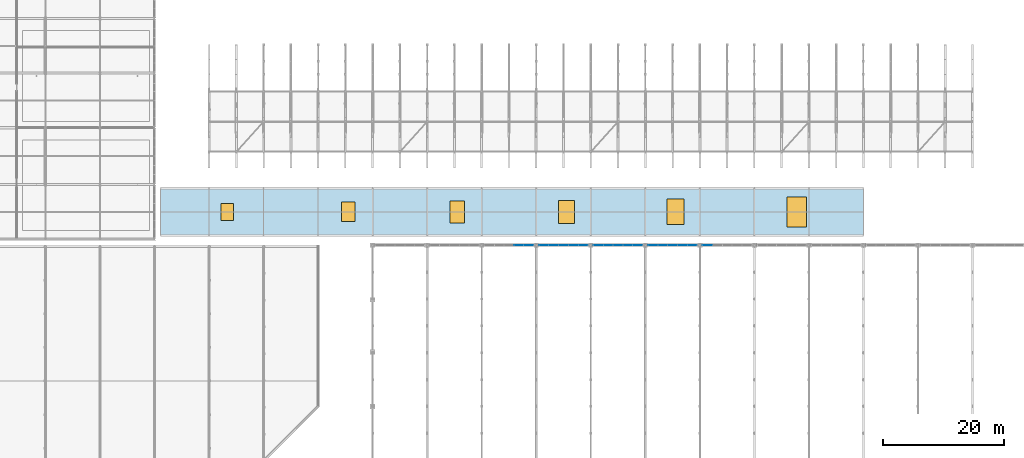
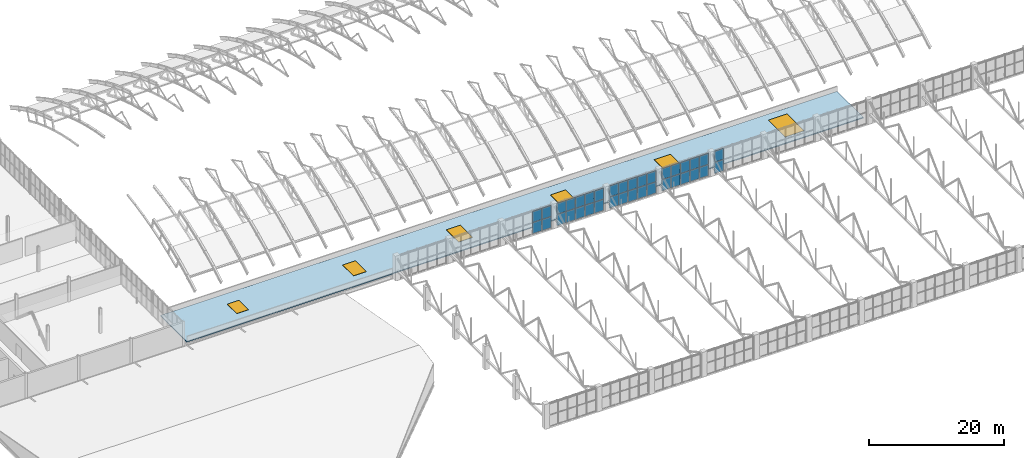
# One storey, part 74 of 103: 36 plates, 6 windows, 1 slab, 6 openings, 5 elements without a shape of their own.
"""IFC4 building model written with IfcOpenShell, lengths in metres."""

from ifc_helpers import new_model, si_unit, direction, frame, origin, origin_2d, place, context, subcontext, project, spatial, polyline, rectangle, outline, extrude, material, layer, layer_set, type_object, element, fill, aggregate, save


model = new_model("IFC4")

# Units and contexts
model_context = context("Model", 3, precision=1e-05, world=origin(), true_north=direction((0.0, 1.0)))
body_context = subcontext(model_context, "Body", "Model", "MODEL_VIEW")
ifc_project = project(units=[si_unit("LENGTHUNIT", "METRE"), si_unit("AREAUNIT", "SQUARE_METRE"), si_unit("VOLUMEUNIT", "CUBIC_METRE"), si_unit("PLANEANGLEUNIT", "RADIAN"), si_unit("MASSUNIT", "GRAM", prefix="KILO")], contexts=[model_context])

# Site, building, storey
site_placement = place(None, origin())
site = spatial("IfcSite", under=ifc_project, at=site_placement, CompositionType="ELEMENT")
building_placement = place(site_placement, origin())
building = spatial("IfcBuilding", under=site, at=building_placement, Name="Cazmaro Siding Exhibition Halls", CompositionType="ELEMENT")
storey_placement = place(building_placement, frame((0.0, 0.0, 16.5)))
storey = spatial("IfcBuildingStorey", under=building, at=storey_placement, Name="L03", CompositionType="ELEMENT", Elevation=16.5)

# Curtain wall, plates
ifc_material_1 = material(Name="Anodized Bronze Aluminum and Solar-Control Low-E Glazing", Category="aluminium")
ifc_layer_1 = layer(ifc_material_1, 0.159912109375)
ifc_layer_set_1 = layer_set([ifc_layer_1], Name="Anodized Bronze Aluminum and Solar-Control Low-E Glazing")
curtain_wall_type = type_object("IfcCurtainWallType", Name="CWS-04", PredefinedType="USERDEFINED", material=ifc_layer_set_1)
curtain_wall_1_placement = place(storey_placement, origin())
curtain_wall_1 = element("IfcCurtainWall", 1, at=curtain_wall_1_placement, inside=storey, type_object=curtain_wall_type, Name="Clerestory Curtain Wall CWS-04 CW-085", ObjectType="CLERESTORY CURTAIN WALL", PredefinedType="USERDEFINED")
ifc_material_2 = material(Name="Solar-Control Low-E Double Insulating Glass", Category="glass")
ifc_layer_2 = layer(ifc_material_2, 0.028076171875)
ifc_layer_set_2 = layer_set([ifc_layer_2], Name="Solar-Control Low-E Double Insulating Glass")
plate_type = type_object("IfcPlateType", Name="CWP-04", PredefinedType="CURTAIN_PANEL", material=ifc_layer_set_2)
plate_1_placement = place(storey_placement, frame((97.72900390625, 53.60009765625, 0.06005859375), z_axis=(0.0, 0.0, 1.0), x_axis=(-1.0, 0.0, 0.0)))
plate_1 = element("IfcPlate", 2, at=plate_1_placement, type_object=plate_type, Name="CWS-04 panel 1.1", PredefinedType="CURTAIN_PANEL", context=body_context, shape_type="SweptSolid", body=[
    extrude(rectangle(XDim=1.531982421875, YDim=0.028076171875, at=origin_2d()), origin(), (0.0, 0.0, 1.0), 2.010009765625),
])
plate_2_placement = place(storey_placement, frame((97.72900390625, 53.60009765625, 2.130126953125), z_axis=(0.0, 0.0, 1.0), x_axis=(-1.0, 0.0, 0.0)))
plate_2 = element("IfcPlate", 3, at=plate_2_placement, type_object=plate_type, Name="CWS-04 panel 1.2", PredefinedType="CURTAIN_PANEL", context=body_context, shape_type="SweptSolid", body=[
    extrude(rectangle(XDim=1.531982421875, YDim=0.028076171875, at=origin_2d()), origin(), (0.0, 0.0, 1.0), 1.9599609375),
])
plate_3_placement = place(storey_placement, frame((96.1220703125, 53.60009765625, 0.06005859375), z_axis=(0.0, 0.0, 1.0), x_axis=(-1.0, 0.0, 0.0)))
plate_3 = element("IfcPlate", 4, at=plate_3_placement, type_object=plate_type, Name="CWS-04 panel 2.1", PredefinedType="CURTAIN_PANEL", context=body_context, shape_type="SweptSolid", body=[
    extrude(rectangle(XDim=1.56201171875, YDim=0.028076171875, at=origin_2d()), origin(), (0.0, 0.0, 1.0), 2.010009765625),
])
plate_4_placement = place(storey_placement, frame((96.1220703125, 53.60009765625, 2.130126953125), z_axis=(0.0, 0.0, 1.0), x_axis=(-1.0, 0.0, 0.0)))
plate_4 = element("IfcPlate", 5, at=plate_4_placement, type_object=plate_type, Name="CWS-04 panel 2.2", PredefinedType="CURTAIN_PANEL", context=body_context, shape_type="SweptSolid", body=[
    extrude(rectangle(XDim=1.56201171875, YDim=0.028076171875, at=origin_2d()), origin(), (0.0, 0.0, 1.0), 1.9599609375),
])
aggregate(curtain_wall_1, [plate_1, plate_2, plate_3, plate_4])

curtain_wall_2_placement = place(storey_placement, origin())
curtain_wall_2 = element("IfcCurtainWall", 6, at=curtain_wall_2_placement, inside=storey, type_object=curtain_wall_type, Name="Clerestory Curtain Wall CWS-04 CW-087", ObjectType="CLERESTORY CURTAIN WALL", PredefinedType="USERDEFINED")
plate_5_placement = place(storey_placement, frame((106.72900390625, 53.60009765625, 0.06005859375), z_axis=(0.0, 0.0, 1.0), x_axis=(-1.0, 0.0, 0.0)))
plate_5 = element("IfcPlate", 7, at=plate_5_placement, type_object=plate_type, Name="CWS-04 panel 1.1", PredefinedType="CURTAIN_PANEL", context=body_context, shape_type="SweptSolid", body=[
    extrude(rectangle(XDim=1.531982421875, YDim=0.028076171875, at=origin_2d()), origin(), (0.0, 0.0, 1.0), 2.010009765625),
])
plate_6_placement = place(storey_placement, frame((106.72900390625, 53.60009765625, 2.130126953125), z_axis=(0.0, 0.0, 1.0), x_axis=(-1.0, 0.0, 0.0)))
plate_6 = element("IfcPlate", 8, at=plate_6_placement, type_object=plate_type, Name="CWS-04 panel 1.2", PredefinedType="CURTAIN_PANEL", context=body_context, shape_type="SweptSolid", body=[
    extrude(rectangle(XDim=1.531982421875, YDim=0.028076171875, at=origin_2d()), origin(), (0.0, 0.0, 1.0), 1.9599609375),
])
plate_7_placement = place(storey_placement, frame((105.1220703125, 53.60009765625, 0.06005859375), z_axis=(0.0, 0.0, 1.0), x_axis=(-1.0, 0.0, 0.0)))
plate_7 = element("IfcPlate", 9, at=plate_7_placement, type_object=plate_type, Name="CWS-04 panel 2.1", PredefinedType="CURTAIN_PANEL", context=body_context, shape_type="SweptSolid", body=[
    extrude(rectangle(XDim=1.56201171875, YDim=0.028076171875, at=origin_2d()), origin(), (0.0, 0.0, 1.0), 2.010009765625),
])
plate_8_placement = place(storey_placement, frame((105.1220703125, 53.60009765625, 2.130126953125), z_axis=(0.0, 0.0, 1.0), x_axis=(-1.0, 0.0, 0.0)))
plate_8 = element("IfcPlate", 10, at=plate_8_placement, type_object=plate_type, Name="CWS-04 panel 2.2", PredefinedType="CURTAIN_PANEL", context=body_context, shape_type="SweptSolid", body=[
    extrude(rectangle(XDim=1.56201171875, YDim=0.028076171875, at=origin_2d()), origin(), (0.0, 0.0, 1.0), 1.9599609375),
])
plate_9_placement = place(storey_placement, frame((103.5, 53.60009765625, 0.06005859375), z_axis=(0.0, 0.0, 1.0), x_axis=(-1.0, 0.0, 0.0)))
plate_9 = element("IfcPlate", 11, at=plate_9_placement, type_object=plate_type, Name="CWS-04 panel 3.1", PredefinedType="CURTAIN_PANEL", context=body_context, shape_type="SweptSolid", body=[
    extrude(rectangle(XDim=1.56201171875, YDim=0.028076171875, at=origin_2d()), origin(), (0.0, 0.0, 1.0), 2.010009765625),
])
plate_10_placement = place(storey_placement, frame((103.5, 53.60009765625, 2.130126953125), z_axis=(0.0, 0.0, 1.0), x_axis=(-1.0, 0.0, 0.0)))
plate_10 = element("IfcPlate", 12, at=plate_10_placement, type_object=plate_type, Name="CWS-04 panel 3.2", PredefinedType="CURTAIN_PANEL", context=body_context, shape_type="SweptSolid", body=[
    extrude(rectangle(XDim=1.56201171875, YDim=0.028076171875, at=origin_2d()), origin(), (0.0, 0.0, 1.0), 1.9599609375),
])
plate_11_placement = place(storey_placement, frame((101.8779296875, 53.60009765625, 0.06005859375), z_axis=(0.0, 0.0, 1.0), x_axis=(-1.0, 0.0, 0.0)))
plate_11 = element("IfcPlate", 13, at=plate_11_placement, type_object=plate_type, Name="CWS-04 panel 4.1", PredefinedType="CURTAIN_PANEL", context=body_context, shape_type="SweptSolid", body=[
    extrude(rectangle(XDim=1.56201171875, YDim=0.028076171875, at=origin_2d()), origin(), (0.0, 0.0, 1.0), 2.010009765625),
])
plate_12_placement = place(storey_placement, frame((101.8779296875, 53.60009765625, 2.130126953125), z_axis=(0.0, 0.0, 1.0), x_axis=(-1.0, 0.0, 0.0)))
plate_12 = element("IfcPlate", 14, at=plate_12_placement, type_object=plate_type, Name="CWS-04 panel 4.2", PredefinedType="CURTAIN_PANEL", context=body_context, shape_type="SweptSolid", body=[
    extrude(rectangle(XDim=1.56201171875, YDim=0.028076171875, at=origin_2d()), origin(), (0.0, 0.0, 1.0), 1.9599609375),
])
plate_13_placement = place(storey_placement, frame((100.27099609375, 53.60009765625, 0.06005859375), z_axis=(0.0, 0.0, 1.0), x_axis=(-1.0, 0.0, 0.0)))
plate_13 = element("IfcPlate", 15, at=plate_13_placement, type_object=plate_type, Name="CWS-04 panel 5.1", PredefinedType="CURTAIN_PANEL", context=body_context, shape_type="SweptSolid", body=[
    extrude(rectangle(XDim=1.531982421875, YDim=0.028076171875, at=origin_2d()), origin(), (0.0, 0.0, 1.0), 2.010009765625),
])
plate_14_placement = place(storey_placement, frame((100.27099609375, 53.60009765625, 2.130126953125), z_axis=(0.0, 0.0, 1.0), x_axis=(-1.0, 0.0, 0.0)))
plate_14 = element("IfcPlate", 16, at=plate_14_placement, type_object=plate_type, Name="CWS-04 panel 5.2", PredefinedType="CURTAIN_PANEL", context=body_context, shape_type="SweptSolid", body=[
    extrude(rectangle(XDim=1.531982421875, YDim=0.028076171875, at=origin_2d()), origin(), (0.0, 0.0, 1.0), 1.9599609375),
])
aggregate(curtain_wall_2, [plate_5, plate_6, plate_7, plate_8, plate_9, plate_10, plate_11, plate_12, plate_13, plate_14])

curtain_wall_3_placement = place(storey_placement, origin())
curtain_wall_3 = element("IfcCurtainWall", 17, at=curtain_wall_3_placement, inside=storey, type_object=curtain_wall_type, Name="Clerestory Curtain Wall CWS-04 CW-089", ObjectType="CLERESTORY CURTAIN WALL", PredefinedType="USERDEFINED")
plate_15_placement = place(storey_placement, frame((115.72900390625, 53.60009765625, 0.06005859375), z_axis=(0.0, 0.0, 1.0), x_axis=(-1.0, 0.0, 0.0)))
plate_15 = element("IfcPlate", 18, at=plate_15_placement, type_object=plate_type, Name="CWS-04 panel 1.1", PredefinedType="CURTAIN_PANEL", context=body_context, shape_type="SweptSolid", body=[
    extrude(rectangle(XDim=1.531982421875, YDim=0.028076171875, at=origin_2d()), origin(), (0.0, 0.0, 1.0), 2.010009765625),
])
plate_16_placement = place(storey_placement, frame((115.72900390625, 53.60009765625, 2.130126953125), z_axis=(0.0, 0.0, 1.0), x_axis=(-1.0, 0.0, 0.0)))
plate_16 = element("IfcPlate", 19, at=plate_16_placement, type_object=plate_type, Name="CWS-04 panel 1.2", PredefinedType="CURTAIN_PANEL", context=body_context, shape_type="SweptSolid", body=[
    extrude(rectangle(XDim=1.531982421875, YDim=0.028076171875, at=origin_2d()), origin(), (0.0, 0.0, 1.0), 1.9599609375),
])
plate_17_placement = place(storey_placement, frame((114.1220703125, 53.60009765625, 0.06005859375), z_axis=(0.0, 0.0, 1.0), x_axis=(-1.0, 0.0, 0.0)))
plate_17 = element("IfcPlate", 20, at=plate_17_placement, type_object=plate_type, Name="CWS-04 panel 2.1", PredefinedType="CURTAIN_PANEL", context=body_context, shape_type="SweptSolid", body=[
    extrude(rectangle(XDim=1.56201171875, YDim=0.028076171875, at=origin_2d()), origin(), (0.0, 0.0, 1.0), 2.010009765625),
])
plate_18_placement = place(storey_placement, frame((114.1220703125, 53.60009765625, 2.130126953125), z_axis=(0.0, 0.0, 1.0), x_axis=(-1.0, 0.0, 0.0)))
plate_18 = element("IfcPlate", 21, at=plate_18_placement, type_object=plate_type, Name="CWS-04 panel 2.2", PredefinedType="CURTAIN_PANEL", context=body_context, shape_type="SweptSolid", body=[
    extrude(rectangle(XDim=1.56201171875, YDim=0.028076171875, at=origin_2d()), origin(), (0.0, 0.0, 1.0), 1.9599609375),
])
plate_19_placement = place(storey_placement, frame((112.5, 53.60009765625, 0.06005859375), z_axis=(0.0, 0.0, 1.0), x_axis=(-1.0, 0.0, 0.0)))
plate_19 = element("IfcPlate", 22, at=plate_19_placement, type_object=plate_type, Name="CWS-04 panel 3.1", PredefinedType="CURTAIN_PANEL", context=body_context, shape_type="SweptSolid", body=[
    extrude(rectangle(XDim=1.56201171875, YDim=0.028076171875, at=origin_2d()), origin(), (0.0, 0.0, 1.0), 2.010009765625),
])
plate_20_placement = place(storey_placement, frame((112.5, 53.60009765625, 2.130126953125), z_axis=(0.0, 0.0, 1.0), x_axis=(-1.0, 0.0, 0.0)))
plate_20 = element("IfcPlate", 23, at=plate_20_placement, type_object=plate_type, Name="CWS-04 panel 3.2", PredefinedType="CURTAIN_PANEL", context=body_context, shape_type="SweptSolid", body=[
    extrude(rectangle(XDim=1.56201171875, YDim=0.028076171875, at=origin_2d()), origin(), (0.0, 0.0, 1.0), 1.9599609375),
])
plate_21_placement = place(storey_placement, frame((110.8779296875, 53.60009765625, 0.06005859375), z_axis=(0.0, 0.0, 1.0), x_axis=(-1.0, 0.0, 0.0)))
plate_21 = element("IfcPlate", 24, at=plate_21_placement, type_object=plate_type, Name="CWS-04 panel 4.1", PredefinedType="CURTAIN_PANEL", context=body_context, shape_type="SweptSolid", body=[
    extrude(rectangle(XDim=1.56201171875, YDim=0.028076171875, at=origin_2d()), origin(), (0.0, 0.0, 1.0), 2.010009765625),
])
plate_22_placement = place(storey_placement, frame((110.8779296875, 53.60009765625, 2.130126953125), z_axis=(0.0, 0.0, 1.0), x_axis=(-1.0, 0.0, 0.0)))
plate_22 = element("IfcPlate", 25, at=plate_22_placement, type_object=plate_type, Name="CWS-04 panel 4.2", PredefinedType="CURTAIN_PANEL", context=body_context, shape_type="SweptSolid", body=[
    extrude(rectangle(XDim=1.56201171875, YDim=0.028076171875, at=origin_2d()), origin(), (0.0, 0.0, 1.0), 1.9599609375),
])
plate_23_placement = place(storey_placement, frame((109.27099609375, 53.60009765625, 0.06005859375), z_axis=(0.0, 0.0, 1.0), x_axis=(-1.0, 0.0, 0.0)))
plate_23 = element("IfcPlate", 26, at=plate_23_placement, type_object=plate_type, Name="CWS-04 panel 5.1", PredefinedType="CURTAIN_PANEL", context=body_context, shape_type="SweptSolid", body=[
    extrude(rectangle(XDim=1.531982421875, YDim=0.028076171875, at=origin_2d()), origin(), (0.0, 0.0, 1.0), 2.010009765625),
])
plate_24_placement = place(storey_placement, frame((109.27099609375, 53.60009765625, 2.130126953125), z_axis=(0.0, 0.0, 1.0), x_axis=(-1.0, 0.0, 0.0)))
plate_24 = element("IfcPlate", 27, at=plate_24_placement, type_object=plate_type, Name="CWS-04 panel 5.2", PredefinedType="CURTAIN_PANEL", context=body_context, shape_type="SweptSolid", body=[
    extrude(rectangle(XDim=1.531982421875, YDim=0.028076171875, at=origin_2d()), origin(), (0.0, 0.0, 1.0), 1.9599609375),
])
aggregate(curtain_wall_3, [plate_15, plate_16, plate_17, plate_18, plate_19, plate_20, plate_21, plate_22, plate_23, plate_24])

curtain_wall_4_placement = place(storey_placement, origin())
curtain_wall_4 = element("IfcCurtainWall", 28, at=curtain_wall_4_placement, inside=storey, type_object=curtain_wall_type, Name="Clerestory Curtain Wall CWS-04 CW-091", ObjectType="CLERESTORY CURTAIN WALL", PredefinedType="USERDEFINED")
plate_25_placement = place(storey_placement, frame((124.72900390625, 53.60009765625, 0.06005859375), z_axis=(0.0, 0.0, 1.0), x_axis=(-1.0, 0.0, 0.0)))
plate_25 = element("IfcPlate", 29, at=plate_25_placement, type_object=plate_type, Name="CWS-04 panel 1.1", PredefinedType="CURTAIN_PANEL", context=body_context, shape_type="SweptSolid", body=[
    extrude(rectangle(XDim=1.531982421875, YDim=0.028076171875, at=origin_2d()), origin(), (0.0, 0.0, 1.0), 2.010009765625),
])
plate_26_placement = place(storey_placement, frame((124.72900390625, 53.60009765625, 2.130126953125), z_axis=(0.0, 0.0, 1.0), x_axis=(-1.0, 0.0, 0.0)))
plate_26 = element("IfcPlate", 30, at=plate_26_placement, type_object=plate_type, Name="CWS-04 panel 1.2", PredefinedType="CURTAIN_PANEL", context=body_context, shape_type="SweptSolid", body=[
    extrude(rectangle(XDim=1.531982421875, YDim=0.028076171875, at=origin_2d()), origin(), (0.0, 0.0, 1.0), 1.9599609375),
])
plate_27_placement = place(storey_placement, frame((123.1220703125, 53.60009765625, 0.06005859375), z_axis=(0.0, 0.0, 1.0), x_axis=(-1.0, 0.0, 0.0)))
plate_27 = element("IfcPlate", 31, at=plate_27_placement, type_object=plate_type, Name="CWS-04 panel 2.1", PredefinedType="CURTAIN_PANEL", context=body_context, shape_type="SweptSolid", body=[
    extrude(rectangle(XDim=1.56201171875, YDim=0.028076171875, at=origin_2d()), origin(), (0.0, 0.0, 1.0), 2.010009765625),
])
plate_28_placement = place(storey_placement, frame((123.1220703125, 53.60009765625, 2.130126953125), z_axis=(0.0, 0.0, 1.0), x_axis=(-1.0, 0.0, 0.0)))
plate_28 = element("IfcPlate", 32, at=plate_28_placement, type_object=plate_type, Name="CWS-04 panel 2.2", PredefinedType="CURTAIN_PANEL", context=body_context, shape_type="SweptSolid", body=[
    extrude(rectangle(XDim=1.56201171875, YDim=0.028076171875, at=origin_2d()), origin(), (0.0, 0.0, 1.0), 1.9599609375),
])
plate_29_placement = place(storey_placement, frame((121.5, 53.60009765625, 0.06005859375), z_axis=(0.0, 0.0, 1.0), x_axis=(-1.0, 0.0, 0.0)))
plate_29 = element("IfcPlate", 33, at=plate_29_placement, type_object=plate_type, Name="CWS-04 panel 3.1", PredefinedType="CURTAIN_PANEL", context=body_context, shape_type="SweptSolid", body=[
    extrude(rectangle(XDim=1.56201171875, YDim=0.028076171875, at=origin_2d()), origin(), (0.0, 0.0, 1.0), 2.010009765625),
])
plate_30_placement = place(storey_placement, frame((121.5, 53.60009765625, 2.130126953125), z_axis=(0.0, 0.0, 1.0), x_axis=(-1.0, 0.0, 0.0)))
plate_30 = element("IfcPlate", 34, at=plate_30_placement, type_object=plate_type, Name="CWS-04 panel 3.2", PredefinedType="CURTAIN_PANEL", context=body_context, shape_type="SweptSolid", body=[
    extrude(rectangle(XDim=1.56201171875, YDim=0.028076171875, at=origin_2d()), origin(), (0.0, 0.0, 1.0), 1.9599609375),
])
plate_31_placement = place(storey_placement, frame((119.8779296875, 53.60009765625, 0.06005859375), z_axis=(0.0, 0.0, 1.0), x_axis=(-1.0, 0.0, 0.0)))
plate_31 = element("IfcPlate", 35, at=plate_31_placement, type_object=plate_type, Name="CWS-04 panel 4.1", PredefinedType="CURTAIN_PANEL", context=body_context, shape_type="SweptSolid", body=[
    extrude(rectangle(XDim=1.56201171875, YDim=0.028076171875, at=origin_2d()), origin(), (0.0, 0.0, 1.0), 2.010009765625),
])
plate_32_placement = place(storey_placement, frame((119.8779296875, 53.60009765625, 2.130126953125), z_axis=(0.0, 0.0, 1.0), x_axis=(-1.0, 0.0, 0.0)))
plate_32 = element("IfcPlate", 36, at=plate_32_placement, type_object=plate_type, Name="CWS-04 panel 4.2", PredefinedType="CURTAIN_PANEL", context=body_context, shape_type="SweptSolid", body=[
    extrude(rectangle(XDim=1.56201171875, YDim=0.028076171875, at=origin_2d()), origin(), (0.0, 0.0, 1.0), 1.9599609375),
])
plate_33_placement = place(storey_placement, frame((118.27099609375, 53.60009765625, 0.06005859375), z_axis=(0.0, 0.0, 1.0), x_axis=(-1.0, 0.0, 0.0)))
plate_33 = element("IfcPlate", 37, at=plate_33_placement, type_object=plate_type, Name="CWS-04 panel 5.1", PredefinedType="CURTAIN_PANEL", context=body_context, shape_type="SweptSolid", body=[
    extrude(rectangle(XDim=1.531982421875, YDim=0.028076171875, at=origin_2d()), origin(), (0.0, 0.0, 1.0), 2.010009765625),
])
plate_34_placement = place(storey_placement, frame((118.27099609375, 53.60009765625, 2.130126953125), z_axis=(0.0, 0.0, 1.0), x_axis=(-1.0, 0.0, 0.0)))
plate_34 = element("IfcPlate", 38, at=plate_34_placement, type_object=plate_type, Name="CWS-04 panel 5.2", PredefinedType="CURTAIN_PANEL", context=body_context, shape_type="SweptSolid", body=[
    extrude(rectangle(XDim=1.531982421875, YDim=0.028076171875, at=origin_2d()), origin(), (0.0, 0.0, 1.0), 1.9599609375),
])
aggregate(curtain_wall_4, [plate_25, plate_26, plate_27, plate_28, plate_29, plate_30, plate_31, plate_32, plate_33, plate_34])

curtain_wall_5_placement = place(storey_placement, origin())
curtain_wall_5 = element("IfcCurtainWall", 39, at=curtain_wall_5_placement, inside=storey, type_object=curtain_wall_type, Name="Clerestory Curtain Wall CWS-04 CW-093", ObjectType="CLERESTORY CURTAIN WALL", PredefinedType="USERDEFINED")
plate_35_placement = place(storey_placement, frame((127.27099609375, 53.60009765625, 0.06005859375), z_axis=(0.0, 0.0, 1.0), x_axis=(-1.0, 0.0, 0.0)))
plate_35 = element("IfcPlate", 40, at=plate_35_placement, type_object=plate_type, Name="CWS-04 panel 5.1", PredefinedType="CURTAIN_PANEL", context=body_context, shape_type="SweptSolid", body=[
    extrude(rectangle(XDim=1.531982421875, YDim=0.028076171875, at=origin_2d()), origin(), (0.0, 0.0, 1.0), 2.010009765625),
])
plate_36_placement = place(storey_placement, frame((127.27099609375, 53.60009765625, 2.130126953125), z_axis=(0.0, 0.0, 1.0), x_axis=(-1.0, 0.0, 0.0)))
plate_36 = element("IfcPlate", 41, at=plate_36_placement, type_object=plate_type, Name="CWS-04 panel 5.2", PredefinedType="CURTAIN_PANEL", context=body_context, shape_type="SweptSolid", body=[
    extrude(rectangle(XDim=1.531982421875, YDim=0.028076171875, at=origin_2d()), origin(), (0.0, 0.0, 1.0), 1.9599609375),
])
aggregate(curtain_wall_5, [plate_35, plate_36])

# Slab, openings, windows
ifc_material_3 = material(Name="Concrete f'c 35 MPa", Category="concrete")
ifc_layer_3 = layer(ifc_material_3, 0.175048828125)
ifc_layer_set_3 = layer_set([ifc_layer_3], Name="Concrete f'c 35 MPa")
slab_type = type_object("IfcSlabType", Name="RS-02", PredefinedType="ROOF", material=ifc_layer_set_3)
slab_placement = place(storey_placement, frame((0.0, 0.0, -0.175048828125)))
slab = element("IfcSlab", 42, at=slab_placement, inside=storey, type_object=slab_type, Name="Concourse Main Skylight Roof RS-02 SLB-0066", PredefinedType="ROOF", context=body_context, shape_type="SweptSolid", body=[
    extrude(outline(polyline([(37.0, 55.199951171875), (153.0, 55.199951171875), (153.0, 63.0), (37.0, 63.0), (37.0, 55.199951171875)]), holes=[polyline([(47.001953125, 57.701904296875), (48.998046875, 57.701904296875), (48.998046875, 60.498046875), (47.001953125, 60.498046875), (47.001953125, 57.701904296875)]), polyline([(66.902099609375, 57.501953125), (69.097900390625, 57.501953125), (69.097900390625, 60.697998046875), (66.902099609375, 60.697998046875), (66.902099609375, 57.501953125)]), polyline([(84.802001953125, 57.302001953125), (87.197998046875, 57.302001953125), (87.197998046875, 60.89794921875), (84.802001953125, 60.89794921875), (84.802001953125, 57.302001953125)]), polyline([(102.701904296875, 57.201904296875), (105.298095703125, 57.201904296875), (105.298095703125, 60.998046875), (102.701904296875, 60.998046875), (102.701904296875, 57.201904296875)]), polyline([(120.60205078125, 57.001953125), (123.39794921875, 57.001953125), (123.39794921875, 61.197998046875), (120.60205078125, 61.197998046875), (120.60205078125, 57.001953125)]), polyline([(140.402099609375, 56.60205078125), (143.597900390625, 56.60205078125), (143.597900390625, 61.597900390625), (140.402099609375, 61.597900390625), (140.402099609375, 56.60205078125)])]), origin(), (0.0, 0.0, 1.0), 0.175048828125),
])
opening_1_placement = place(slab_placement, frame((48.0, 59.10009765625, -0.010009765625)))
opening_1 = element("IfcOpeningElement", 43, at=opening_1_placement, cuts=slab, Name="Opening SK-01", PredefinedType="OPENING", context=body_context, shape_type="SweptSolid", body=[
    extrude(rectangle(XDim=2.0, YDim=2.800048828125, at=origin_2d()), origin(), (0.0, 0.0, 1.0), 0.235107421875),
])
opening_2_placement = place(slab_placement, frame((68.0, 59.10009765625, -0.010009765625)))
opening_2 = element("IfcOpeningElement", 44, at=opening_2_placement, cuts=slab, Name="Opening SK-02", PredefinedType="OPENING", context=body_context, shape_type="SweptSolid", body=[
    extrude(rectangle(XDim=2.199951171875, YDim=3.199951171875, at=origin_2d()), origin(), (0.0, 0.0, 1.0), 0.235107421875),
])
opening_3_placement = place(slab_placement, frame((86.0, 59.10009765625, -0.010009765625)))
opening_3 = element("IfcOpeningElement", 45, at=opening_3_placement, cuts=slab, Name="Opening SK-03", PredefinedType="OPENING", context=body_context, shape_type="SweptSolid", body=[
    extrude(rectangle(XDim=2.39990234375, YDim=3.60009765625, at=origin_2d()), origin(), (0.0, 0.0, 1.0), 0.235107421875),
])
opening_4_placement = place(slab_placement, frame((104.0, 59.10009765625, -0.010009765625)))
opening_4 = element("IfcOpeningElement", 46, at=opening_4_placement, cuts=slab, Name="Opening SK-04", PredefinedType="OPENING", context=body_context, shape_type="SweptSolid", body=[
    extrude(rectangle(XDim=2.60009765625, YDim=3.800048828125, at=origin_2d()), origin(), (0.0, 0.0, 1.0), 0.235107421875),
])
opening_5_placement = place(slab_placement, frame((122.0, 59.10009765625, -0.010009765625)))
opening_5 = element("IfcOpeningElement", 47, at=opening_5_placement, cuts=slab, Name="Opening SK-05", PredefinedType="OPENING", context=body_context, shape_type="SweptSolid", body=[
    extrude(rectangle(XDim=2.800048828125, YDim=4.199951171875, at=origin_2d()), origin(), (0.0, 0.0, 1.0), 0.235107421875),
])
opening_6_placement = place(slab_placement, frame((142.0, 59.10009765625, -0.010009765625)))
opening_6 = element("IfcOpeningElement", 48, at=opening_6_placement, cuts=slab, Name="Opening SK-06", PredefinedType="OPENING", context=body_context, shape_type="SweptSolid", body=[
    extrude(rectangle(XDim=3.199951171875, YDim=5.0, at=origin_2d()), origin(), (0.0, 0.0, 1.0), 0.235107421875),
])
ifc_material_4 = material(Name="Laminated Solar-Control Roof Skylight Glazing", Category="glass")
ifc_layer_4 = layer(ifc_material_4, 0.080078125)
ifc_layer_set_4 = layer_set([ifc_layer_4], Name="Laminated Solar-Control Roof Skylight Glazing")
window_type_1 = type_object("IfcWindowType", Name="SKT-01", PartitioningType="SINGLE_PANEL", PredefinedType="SKYLIGHT", material=ifc_layer_set_4)
window_1_placement = place(opening_1_placement, frame((0.0, 0.0, 0.14501953125)))
window_1 = element("IfcWindow", 49, at=window_1_placement, inside=storey, type_object=window_type_1, Name="Roof skylight SK-01 (SKT-01)", OverallHeight=2.800048828125, OverallWidth=2.0, PartitioningType="SINGLE_PANEL", PredefinedType="SKYLIGHT", context=body_context, shape_type="SweptSolid", body=[
    extrude(rectangle(XDim=2.0, YDim=2.800048828125, at=origin_2d()), origin(), (0.0, 0.0, 1.0), 0.080078125),
])
fill(opening_1, window_1)
ifc_material_5 = material(Name="Laminated Solar-Control Roof Skylight Glazing", Category="glass")
ifc_layer_5 = layer(ifc_material_5, 0.080078125)
ifc_layer_set_5 = layer_set([ifc_layer_5], Name="Laminated Solar-Control Roof Skylight Glazing")
window_type_2 = type_object("IfcWindowType", Name="SKT-02", PartitioningType="SINGLE_PANEL", PredefinedType="SKYLIGHT", material=ifc_layer_set_5)
window_2_placement = place(opening_2_placement, frame((0.0, 0.0, 0.14501953125)))
window_2 = element("IfcWindow", 50, at=window_2_placement, inside=storey, type_object=window_type_2, Name="Roof skylight SK-02 (SKT-02)", OverallHeight=3.199951171875, OverallWidth=2.199951171875, PartitioningType="SINGLE_PANEL", PredefinedType="SKYLIGHT", context=body_context, shape_type="SweptSolid", body=[
    extrude(rectangle(XDim=2.199951171875, YDim=3.199951171875, at=origin_2d()), origin(), (0.0, 0.0, 1.0), 0.080078125),
])
fill(opening_2, window_2)
ifc_material_6 = material(Name="Laminated Solar-Control Roof Skylight Glazing", Category="glass")
ifc_layer_6 = layer(ifc_material_6, 0.080078125)
ifc_layer_set_6 = layer_set([ifc_layer_6], Name="Laminated Solar-Control Roof Skylight Glazing")
window_type_3 = type_object("IfcWindowType", Name="SKT-03", PartitioningType="SINGLE_PANEL", PredefinedType="SKYLIGHT", material=ifc_layer_set_6)
window_3_placement = place(opening_3_placement, frame((0.0, 0.0, 0.14501953125)))
window_3 = element("IfcWindow", 51, at=window_3_placement, inside=storey, type_object=window_type_3, Name="Roof skylight SK-03 (SKT-03)", OverallHeight=3.60009765625, OverallWidth=2.39990234375, PartitioningType="SINGLE_PANEL", PredefinedType="SKYLIGHT", context=body_context, shape_type="SweptSolid", body=[
    extrude(rectangle(XDim=2.39990234375, YDim=3.60009765625, at=origin_2d()), origin(), (0.0, 0.0, 1.0), 0.080078125),
])
fill(opening_3, window_3)
ifc_material_7 = material(Name="Laminated Solar-Control Roof Skylight Glazing", Category="glass")
ifc_layer_7 = layer(ifc_material_7, 0.080078125)
ifc_layer_set_7 = layer_set([ifc_layer_7], Name="Laminated Solar-Control Roof Skylight Glazing")
window_type_4 = type_object("IfcWindowType", Name="SKT-04", PartitioningType="SINGLE_PANEL", PredefinedType="SKYLIGHT", material=ifc_layer_set_7)
window_4_placement = place(opening_4_placement, frame((0.0, 0.0, 0.14501953125)))
window_4 = element("IfcWindow", 52, at=window_4_placement, inside=storey, type_object=window_type_4, Name="Roof skylight SK-04 (SKT-04)", OverallHeight=3.800048828125, OverallWidth=2.60009765625, PartitioningType="SINGLE_PANEL", PredefinedType="SKYLIGHT", context=body_context, shape_type="SweptSolid", body=[
    extrude(rectangle(XDim=2.60009765625, YDim=3.800048828125, at=origin_2d()), origin(), (0.0, 0.0, 1.0), 0.080078125),
])
fill(opening_4, window_4)
ifc_material_8 = material(Name="Laminated Solar-Control Roof Skylight Glazing", Category="glass")
ifc_layer_8 = layer(ifc_material_8, 0.080078125)
ifc_layer_set_8 = layer_set([ifc_layer_8], Name="Laminated Solar-Control Roof Skylight Glazing")
window_type_5 = type_object("IfcWindowType", Name="SKT-05", PartitioningType="SINGLE_PANEL", PredefinedType="SKYLIGHT", material=ifc_layer_set_8)
window_5_placement = place(opening_5_placement, frame((0.0, 0.0, 0.14501953125)))
window_5 = element("IfcWindow", 53, at=window_5_placement, inside=storey, type_object=window_type_5, Name="Roof skylight SK-05 (SKT-05)", OverallHeight=4.199951171875, OverallWidth=2.800048828125, PartitioningType="SINGLE_PANEL", PredefinedType="SKYLIGHT", context=body_context, shape_type="SweptSolid", body=[
    extrude(rectangle(XDim=2.800048828125, YDim=4.199951171875, at=origin_2d()), origin(), (0.0, 0.0, 1.0), 0.080078125),
])
fill(opening_5, window_5)
ifc_material_9 = material(Name="Laminated Solar-Control Roof Skylight Glazing", Category="glass")
ifc_layer_9 = layer(ifc_material_9, 0.080078125)
ifc_layer_set_9 = layer_set([ifc_layer_9], Name="Laminated Solar-Control Roof Skylight Glazing")
window_type_6 = type_object("IfcWindowType", Name="SKT-10", PartitioningType="SINGLE_PANEL", PredefinedType="SKYLIGHT", material=ifc_layer_set_9)
window_6_placement = place(opening_6_placement, frame((0.0, 0.0, 0.14501953125)))
window_6 = element("IfcWindow", 54, at=window_6_placement, inside=storey, type_object=window_type_6, Name="Roof skylight SK-06 (SKT-10)", OverallHeight=5.0, OverallWidth=3.199951171875, PartitioningType="SINGLE_PANEL", PredefinedType="SKYLIGHT", context=body_context, shape_type="SweptSolid", body=[
    extrude(rectangle(XDim=3.199951171875, YDim=5.0, at=origin_2d()), origin(), (0.0, 0.0, 1.0), 0.080078125),
])
fill(opening_6, window_6)

save(model, "model.ifc")
